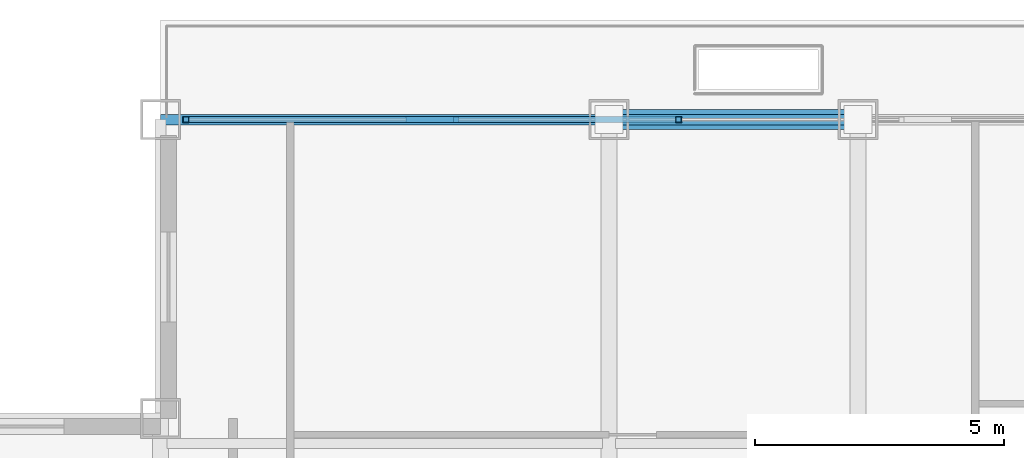
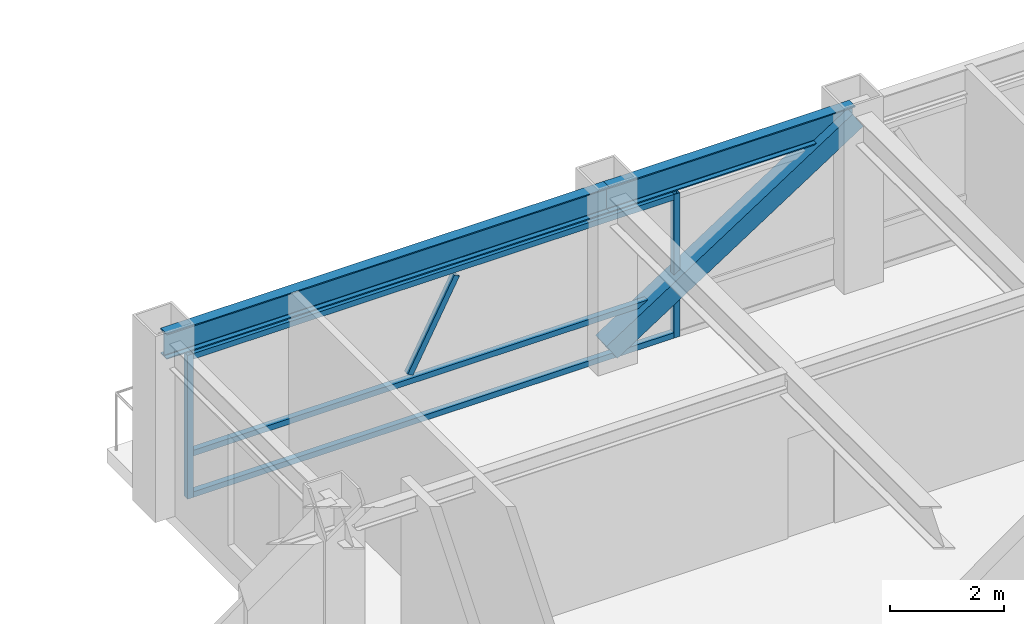
# One storey, part 17 of 30: 7 members, 2 beams, 1 element without a shape of its own.
"""IFC4 building model written with IfcOpenShell, lengths in metres."""

from ifc_helpers import new_model, si_unit, direction, frame, origin, origin_2d, place, context, subcontext, project, spatial, hollow_rectangle, i_section, extrude, source, transform, mapped, material, material_profile, profile_set, type_object, element, aggregate, save


model = new_model("IFC4")

# Units and contexts
model_context = context("Model", 3, precision=1e-05, world=origin(), true_north=direction((0.0, 1.0)))
body_context = subcontext(model_context, "Body", "Model", "MODEL_VIEW")
ifc_project = project(units=[si_unit("LENGTHUNIT", "METRE"), si_unit("AREAUNIT", "SQUARE_METRE"), si_unit("VOLUMEUNIT", "CUBIC_METRE"), si_unit("PLANEANGLEUNIT", "RADIAN"), si_unit("MASSUNIT", "GRAM", prefix="KILO")], contexts=[model_context])

# Site, building, storey
site_placement = place(None, origin())
site = spatial("IfcSite", under=ifc_project, at=site_placement, CompositionType="ELEMENT")
building_placement = place(site_placement, origin())
building = spatial("IfcBuilding", under=site, at=building_placement, Name="Khorayat Bourse Tower", CompositionType="ELEMENT")
storey_placement = place(building_placement, frame((0.0, 0.0, 326.300048828125)))
storey = spatial("IfcBuildingStorey", under=building, at=storey_placement, Name="L77", CompositionType="ELEMENT", Elevation=326.300048828125)

# Beams
ifc_material_1 = material(Name="Steel ASTM A992 Grade 50", Category="steel")
ifc_material_profile_1 = material_profile(ifc_material_1, i_section(OverallWidth=0.214111328125, OverallDepth=0.549072265625, WebThickness=0.0146484375, FlangeThickness=0.023681640625, FilletRadius=0.013916015625, at=origin_2d()), Name="W530X138")
ifc_profile_set_1 = profile_set([ifc_material_profile_1], Name="Steel ASTM A992 Grade 50")
beam_type = type_object("IfcBeamType", Name="BM-SPAN-530", PredefinedType="SPANDREL", material=ifc_profile_set_1)
shared_shape_1 = source(origin(), body_context, "Body", "SweptSolid", [
    extrude(i_section(OverallWidth=0.214111328125, OverallDepth=0.549072265625, WebThickness=0.0146484375, FlangeThickness=0.023681640625, FilletRadius=0.013916015625, at=origin_2d()), origin(), (0.0, 0.0, 1.0), 9.0),
])
beam_1_placement = place(storey_placement, frame((-20.0, 26.0, 3.46533203125), z_axis=(1.0, 0.0, 0.0), x_axis=(0.0, 1.0, 0.0)))
element("IfcBeam", 1, at=beam_1_placement, inside=storey, type_object=beam_type, Name="L77 BM-SPAN-530 BM-L77-SPN-045", PredefinedType="SPANDREL", context=body_context, shape_type="MappedRepresentation", body=[
    mapped(shared_shape_1, transform((0.0, 0.0, 0.0), scale=1.0)),
])
shared_shape_2 = source(origin(), body_context, "Body", "SweptSolid", [
    extrude(i_section(OverallWidth=0.214111328125, OverallDepth=0.549072265625, WebThickness=0.0146484375, FlangeThickness=0.023681640625, FilletRadius=0.013916015625, at=origin_2d()), origin(), (0.0, 0.0, 1.0), 5.0),
])
beam_2_placement = place(storey_placement, frame((-11.0, 26.0, 3.46533203125), z_axis=(1.0, 0.0, 0.0), x_axis=(0.0, 1.0, 0.0)))
element("IfcBeam", 2, at=beam_2_placement, inside=storey, type_object=beam_type, Name="L77 BM-SPAN-530 BM-L77-SPN-044", PredefinedType="SPANDREL", context=body_context, shape_type="MappedRepresentation", body=[
    mapped(shared_shape_2, transform((0.0, 0.0, 0.0), scale=1.0)),
])

# Member
ifc_material_2 = material(Name="Steel EN 10025-4 S460M", Category="steel")
ifc_material_profile_2 = material_profile(ifc_material_2, hollow_rectangle(XDim=0.39990234375, YDim=0.39990234375, WallThickness=0.02197265625, at=origin_2d()), Name="HSS 400x400x22")
ifc_profile_set_2 = profile_set([ifc_material_profile_2], Name="Steel EN 10025-4 S460M")
member_type_1 = type_object("IfcMemberType", Name="MBR-TUBE-400", PredefinedType="BRACE", material=ifc_profile_set_2)
shared_shape_3 = source(origin(), body_context, "Body", "SweptSolid", [
    extrude(hollow_rectangle(XDim=0.39990234375, YDim=0.39990234375, WallThickness=0.02197265625, at=origin_2d()), origin(), (0.0, 0.0, 1.0), 5.9580078125),
])
member_1_placement = place(storey_placement, frame((-11.0, 26.0, 0.25), z_axis=(0.839210474455, 0.0, 0.543806748364), x_axis=(0.0, 1.0, 0.0)))
element("IfcMember", 3, at=member_1_placement, inside=storey, type_object=member_type_1, Name="L77 Perimeter Tube Brace 03", PredefinedType="BRACE", context=body_context, shape_type="MappedRepresentation", body=[
    mapped(shared_shape_3, transform((0.0, 0.0, 0.0), scale=1.0)),
])

# Curtain wall, members
ifc_material_3 = material(Name="Aluminium EN AW-6063 T6", Category="aluminium")
curtain_wall_type = type_object("IfcCurtainWallType", Name="CW-SYS-04", PredefinedType="NOTDEFINED", material=ifc_material_3)
curtain_wall_placement = place(storey_placement, origin())
curtain_wall = element("IfcCurtainWall", 4, at=curtain_wall_placement, inside=storey, type_object=curtain_wall_type, Name="L77 Curtain Wall CW-L77-N1", PredefinedType="NOTDEFINED")
ifc_material_profile_3 = material_profile(ifc_material_3, hollow_rectangle(XDim=0.1201171875, YDim=0.1201171875, WallThickness=0.0048828125, at=origin_2d()), Name="ALU 120x120x5")
ifc_profile_set_3 = profile_set([ifc_material_profile_3], Name="Aluminium EN AW-6063 T6")
member_type_2 = type_object("IfcMemberType", Name="CWM-VERT-120", PredefinedType="MULLION", material=ifc_profile_set_3)
shared_shape_4 = source(origin(), body_context, "Body", "SweptSolid", [
    extrude(hollow_rectangle(XDim=0.1201171875, YDim=0.1201171875, WallThickness=0.0048828125, at=origin_2d()), origin(), (0.0, 0.0, 1.0), 3.08984375),
])
member_2_placement = place(storey_placement, frame((-19.489990234375, 26.0, 0.0), z_axis=(0.0, 0.0, 1.0), x_axis=(0.0, 1.0, 0.0)))
member_2 = element("IfcMember", 5, at=member_2_placement, type_object=member_type_2, Name="CW-L77-N1 Vertical Mullion 1", PredefinedType="MULLION", context=body_context, shape_type="MappedRepresentation", body=[
    mapped(shared_shape_4, transform((0.0, 0.0, 0.0), scale=1.0)),
])
member_3_placement = place(storey_placement, frame((-9.60009765625, 26.0, 0.0), z_axis=(0.0, 0.0, 1.0), x_axis=(0.0, 1.0, 0.0)))
member_3 = element("IfcMember", 6, at=member_3_placement, type_object=member_type_2, Name="CW-L77-N1 Vertical Mullion 2", PredefinedType="MULLION", context=body_context, shape_type="MappedRepresentation", body=[
    mapped(shared_shape_4, transform((0.0, 0.0, 0.0), scale=1.0)),
])
ifc_material_profile_4 = material_profile(ifc_material_3, hollow_rectangle(XDim=0.1201171875, YDim=0.1201171875, WallThickness=0.0048828125, at=origin_2d()), Name="ALU 120x120x5")
ifc_profile_set_4 = profile_set([ifc_material_profile_4], Name="Aluminium EN AW-6063 T6")
member_type_3 = type_object("IfcMemberType", Name="CWT-HORZ-120", PredefinedType="USERDEFINED", material=ifc_profile_set_4)
shared_shape_5 = source(origin(), body_context, "Body", "SweptSolid", [
    extrude(hollow_rectangle(XDim=0.1201171875, YDim=0.1201171875, WallThickness=0.0048828125, at=origin_2d()), origin(), (0.0, 0.0, 1.0), 9.77001953125),
])
member_4_placement = place(storey_placement, frame((-19.429931640625, 26.0, 0.06005859375), z_axis=(1.0, 0.0, 0.0), x_axis=(0.0, 1.0, 0.0)))
member_4 = element("IfcMember", 7, at=member_4_placement, type_object=member_type_3, Name="CW-L77-N1 Horizontal Transom 1-1", ObjectType="TRANSOM", PredefinedType="USERDEFINED", context=body_context, shape_type="MappedRepresentation", body=[
    mapped(shared_shape_5, transform((0.0, 0.0, 0.0), scale=1.0)),
])
member_5_placement = place(storey_placement, frame((-19.429931640625, 26.0, 0.949951171875), z_axis=(1.0, 0.0, 0.0), x_axis=(0.0, 1.0, 0.0)))
member_5 = element("IfcMember", 8, at=member_5_placement, type_object=member_type_3, Name="CW-L77-N1 Horizontal Transom 1-2", ObjectType="TRANSOM", PredefinedType="USERDEFINED", context=body_context, shape_type="MappedRepresentation", body=[
    mapped(shared_shape_5, transform((0.0, 0.0, 0.0), scale=1.0)),
])
member_6_placement = place(storey_placement, frame((-19.429931640625, 26.0, 3.030029296875), z_axis=(1.0, 0.0, 0.0), x_axis=(0.0, 1.0, 0.0)))
member_6 = element("IfcMember", 9, at=member_6_placement, type_object=member_type_3, Name="CW-L77-N1 Horizontal Transom 1-3", ObjectType="TRANSOM", PredefinedType="USERDEFINED", context=body_context, shape_type="MappedRepresentation", body=[
    mapped(shared_shape_5, transform((0.0, 0.0, 0.0), scale=1.0)),
])
ifc_material_profile_5 = material_profile(ifc_material_3, hollow_rectangle(XDim=0.1201171875, YDim=0.1201171875, WallThickness=0.0048828125, at=origin_2d()), Name="ALU 120x120x5")
ifc_profile_set_5 = profile_set([ifc_material_profile_5], Name="Aluminium EN AW-6063 T6")
member_type_4 = type_object("IfcMemberType", Name="CWM-DIAG-120", PredefinedType="MULLION", material=ifc_profile_set_5)
shared_shape_6 = source(origin(), body_context, "Body", "SweptSolid", [
    extrude(hollow_rectangle(XDim=0.1201171875, YDim=0.1201171875, WallThickness=0.0048828125, at=origin_2d()), origin(), (0.0, 0.0, 1.0), 2.0341796875),
])
member_7_placement = place(storey_placement, frame((-15.018798828125, 26.0, 1.08984375), z_axis=(0.465790950955, 0.0, 0.884894790361), x_axis=(0.0, 1.0, 0.0)))
member_7 = element("IfcMember", 10, at=member_7_placement, type_object=member_type_4, Name="CW-L77-N1 Faceted Diagonal Mullion 1", PredefinedType="MULLION", context=body_context, shape_type="MappedRepresentation", body=[
    mapped(shared_shape_6, transform((0.0, 0.0, 0.0), scale=1.0)),
])
aggregate(curtain_wall, [member_2, member_3, member_4, member_5, member_6, member_7])

save(model, "model.ifc")
